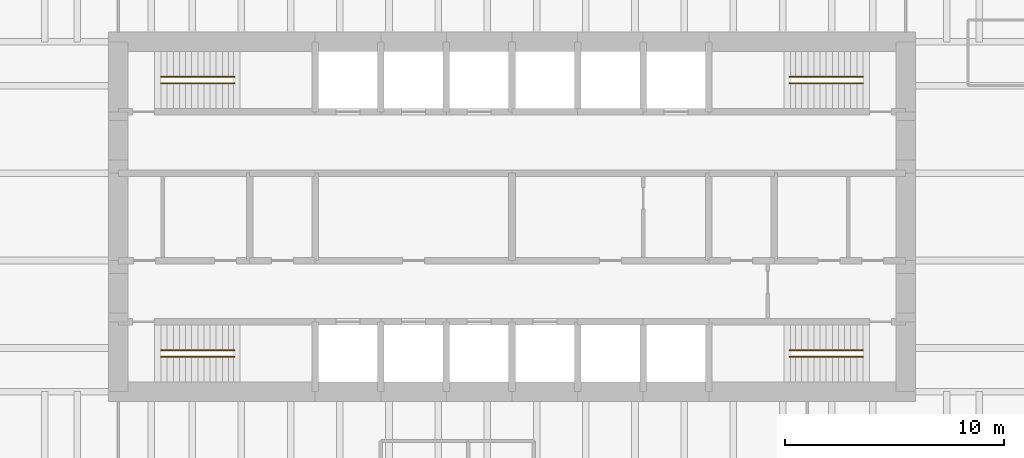
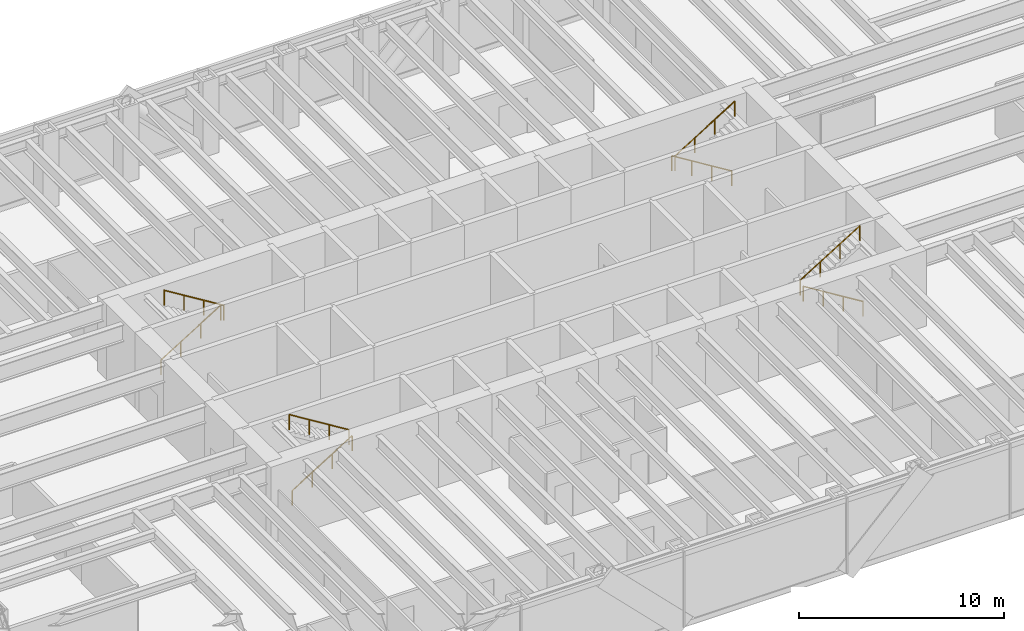
# One storey, part 13 of 13: 8 railings.
"""IFC4 building model written with IfcOpenShell, lengths in metres."""

from ifc_helpers import new_model, si_unit, direction, frame, origin, origin_2d, place, context, subcontext, project, spatial, circle, extrude, material, type_object, element, save


model = new_model("IFC4")

# Units and contexts
model_context = context("Model", 3, precision=1e-05, world=origin(), true_north=direction((0.0, 1.0)))
body_context = subcontext(model_context, "Body", "Model", "MODEL_VIEW")
ifc_project = project(units=[si_unit("LENGTHUNIT", "METRE"), si_unit("AREAUNIT", "SQUARE_METRE"), si_unit("VOLUMEUNIT", "CUBIC_METRE"), si_unit("PLANEANGLEUNIT", "RADIAN"), si_unit("MASSUNIT", "GRAM", prefix="KILO")], contexts=[model_context])

# Site, building, storey
site_placement = place(None, origin())
site = spatial("IfcSite", under=ifc_project, at=site_placement, CompositionType="ELEMENT")
building_placement = place(site_placement, origin())
building = spatial("IfcBuilding", under=site, at=building_placement, Name="Rheinbord Bourse Tower", CompositionType="ELEMENT")
storey_placement = place(building_placement, frame((0.0, 0.0, 68.0)))
storey = spatial("IfcBuildingStorey", under=building, at=storey_placement, Name="L14", CompositionType="ELEMENT", Elevation=68.0)

# Railings
ifc_material = material(Name="Steel handrail", Category="steel")
railing_type = type_object("IfcRailingType", Name="HANDRAIL 900", PredefinedType="HANDRAIL", material=ifc_material)
railing_1_placement = place(storey_placement, frame((19.949951171875, 17.60009765625, 0.173095703125)))
element("IfcRailing", 1, at=railing_1_placement, inside=storey, type_object=railing_type, Name="Handrail", PredefinedType="HANDRAIL", context=body_context, shape_type="SweptSolid", body=[
    extrude(circle(Radius=0.02392578125, at=origin_2d()), frame((0.0, 0.0, 0.8759765625), z_axis=(0.850623216509, 0.0, 0.525775754039), x_axis=(0.0, 1.0, 0.0)), (0.0, 0.0, 1.0), 3.9501953125),
    extrude(circle(Radius=0.02099609375, at=origin_2d()), origin(), (0.0, 0.0, 1.0), 0.851806640625),
    extrude(circle(Radius=0.02099609375, at=origin_2d()), frame((1.1201171875, 0.0, 0.6923828125)), (0.0, 0.0, 1.0), 0.851806640625),
    extrude(circle(Radius=0.02099609375, at=origin_2d()), frame((2.239990234375, 0.0, 1.384521484375)), (0.0, 0.0, 1.0), 0.851806640625),
    extrude(circle(Radius=0.02099609375, at=origin_2d()), frame((3.360107421875, 0.0, 2.076904296875)), (0.0, 0.0, 1.0), 0.851806640625),
])
railing_2_placement = place(storey_placement, frame((23.31005859375, 17.89990234375, 2.423095703125)))
element("IfcRailing", 2, at=railing_2_placement, inside=storey, type_object=railing_type, Name="Handrail", PredefinedType="HANDRAIL", context=body_context, shape_type="SweptSolid", body=[
    extrude(circle(Radius=0.02392578125, at=origin_2d()), frame((0.0, 0.0, 0.8759765625), z_axis=(-0.850623216509, 0.0, 0.525775754039), x_axis=(0.0, -1.0, 0.0)), (0.0, 0.0, 1.0), 3.9501953125),
    extrude(circle(Radius=0.02099609375, at=origin_2d()), origin(), (0.0, 0.0, 1.0), 0.851806640625),
    extrude(circle(Radius=0.02099609375, at=origin_2d()), frame((-1.1201171875, 0.0, 0.6923828125)), (0.0, 0.0, 1.0), 0.851806640625),
    extrude(circle(Radius=0.02099609375, at=origin_2d()), frame((-2.239990234375, 0.0, 1.384521484375)), (0.0, 0.0, 1.0), 0.851806640625),
    extrude(circle(Radius=0.02099609375, at=origin_2d()), frame((-3.360107421875, 0.0, 2.076904296875)), (0.0, 0.0, 1.0), 0.851806640625),
])
railing_3_placement = place(storey_placement, frame((19.949951171875, 30.39990234375, 0.173095703125)))
element("IfcRailing", 3, at=railing_3_placement, inside=storey, type_object=railing_type, Name="Handrail", PredefinedType="HANDRAIL", context=body_context, shape_type="SweptSolid", body=[
    extrude(circle(Radius=0.02392578125, at=origin_2d()), frame((0.0, 0.0, 0.8759765625), z_axis=(0.850623216509, 0.0, 0.525775754039), x_axis=(0.0, 1.0, 0.0)), (0.0, 0.0, 1.0), 3.9501953125),
    extrude(circle(Radius=0.02099609375, at=origin_2d()), origin(), (0.0, 0.0, 1.0), 0.851806640625),
    extrude(circle(Radius=0.02099609375, at=origin_2d()), frame((1.1201171875, 0.0, 0.6923828125)), (0.0, 0.0, 1.0), 0.851806640625),
    extrude(circle(Radius=0.02099609375, at=origin_2d()), frame((2.239990234375, 0.0, 1.384521484375)), (0.0, 0.0, 1.0), 0.851806640625),
    extrude(circle(Radius=0.02099609375, at=origin_2d()), frame((3.360107421875, 0.0, 2.076904296875)), (0.0, 0.0, 1.0), 0.851806640625),
])
for number, where, name in (
    (4, (23.31005859375, 30.10009765625, 2.423095703125), "Handrail"),
    (5, (52.050048828125, 17.60009765625, 0.173095703125), "Handrail"),
):
    element("IfcRailing", number, at=place(storey_placement, frame(where)), inside=storey, type_object=railing_type, Name=name, PredefinedType="HANDRAIL", context=body_context, shape_type="SweptSolid", body=[
        extrude(circle(Radius=0.02392578125, at=origin_2d()), frame((0.0, 0.0, 0.8759765625), z_axis=(-0.850623216509, 0.0, 0.525775754039), x_axis=(0.0, -1.0, 0.0)), (0.0, 0.0, 1.0), 3.9501953125),
        extrude(circle(Radius=0.02099609375, at=origin_2d()), origin(), (0.0, 0.0, 1.0), 0.851806640625),
        extrude(circle(Radius=0.02099609375, at=origin_2d()), frame((-1.1201171875, 0.0, 0.6923828125)), (0.0, 0.0, 1.0), 0.851806640625),
        extrude(circle(Radius=0.02099609375, at=origin_2d()), frame((-2.239990234375, 0.0, 1.384521484375)), (0.0, 0.0, 1.0), 0.851806640625),
        extrude(circle(Radius=0.02099609375, at=origin_2d()), frame((-3.360107421875, 0.0, 2.076904296875)), (0.0, 0.0, 1.0), 0.851806640625),
    ])
railing_4_placement = place(storey_placement, frame((48.68994140625, 17.89990234375, 2.423095703125)))
element("IfcRailing", 6, at=railing_4_placement, inside=storey, type_object=railing_type, Name="Handrail", PredefinedType="HANDRAIL", context=body_context, shape_type="SweptSolid", body=[
    extrude(circle(Radius=0.02392578125, at=origin_2d()), frame((0.0, 0.0, 0.8759765625), z_axis=(0.850623216509, 0.0, 0.525775754039), x_axis=(0.0, 1.0, 0.0)), (0.0, 0.0, 1.0), 3.9501953125),
    extrude(circle(Radius=0.02099609375, at=origin_2d()), origin(), (0.0, 0.0, 1.0), 0.851806640625),
    extrude(circle(Radius=0.02099609375, at=origin_2d()), frame((1.1201171875, 0.0, 0.6923828125)), (0.0, 0.0, 1.0), 0.851806640625),
    extrude(circle(Radius=0.02099609375, at=origin_2d()), frame((2.239990234375, 0.0, 1.384521484375)), (0.0, 0.0, 1.0), 0.851806640625),
    extrude(circle(Radius=0.02099609375, at=origin_2d()), frame((3.360107421875, 0.0, 2.076904296875)), (0.0, 0.0, 1.0), 0.851806640625),
])
railing_5_placement = place(storey_placement, frame((52.050048828125, 30.39990234375, 0.173095703125)))
element("IfcRailing", 7, at=railing_5_placement, inside=storey, type_object=railing_type, Name="Handrail", PredefinedType="HANDRAIL", context=body_context, shape_type="SweptSolid", body=[
    extrude(circle(Radius=0.02392578125, at=origin_2d()), frame((0.0, 0.0, 0.8759765625), z_axis=(-0.850623216509, 0.0, 0.525775754039), x_axis=(0.0, -1.0, 0.0)), (0.0, 0.0, 1.0), 3.9501953125),
    extrude(circle(Radius=0.02099609375, at=origin_2d()), origin(), (0.0, 0.0, 1.0), 0.851806640625),
    extrude(circle(Radius=0.02099609375, at=origin_2d()), frame((-1.1201171875, 0.0, 0.6923828125)), (0.0, 0.0, 1.0), 0.851806640625),
    extrude(circle(Radius=0.02099609375, at=origin_2d()), frame((-2.239990234375, 0.0, 1.384521484375)), (0.0, 0.0, 1.0), 0.851806640625),
    extrude(circle(Radius=0.02099609375, at=origin_2d()), frame((-3.360107421875, 0.0, 2.076904296875)), (0.0, 0.0, 1.0), 0.851806640625),
])
railing_6_placement = place(storey_placement, frame((48.68994140625, 30.10009765625, 2.423095703125)))
element("IfcRailing", 8, at=railing_6_placement, inside=storey, type_object=railing_type, Name="Handrail", PredefinedType="HANDRAIL", context=body_context, shape_type="SweptSolid", body=[
    extrude(circle(Radius=0.02392578125, at=origin_2d()), frame((0.0, 0.0, 0.8759765625), z_axis=(0.850623216509, 0.0, 0.525775754039), x_axis=(0.0, 1.0, 0.0)), (0.0, 0.0, 1.0), 3.9501953125),
    extrude(circle(Radius=0.02099609375, at=origin_2d()), origin(), (0.0, 0.0, 1.0), 0.851806640625),
    extrude(circle(Radius=0.02099609375, at=origin_2d()), frame((1.1201171875, 0.0, 0.6923828125)), (0.0, 0.0, 1.0), 0.851806640625),
    extrude(circle(Radius=0.02099609375, at=origin_2d()), frame((2.239990234375, 0.0, 1.384521484375)), (0.0, 0.0, 1.0), 0.851806640625),
    extrude(circle(Radius=0.02099609375, at=origin_2d()), frame((3.360107421875, 0.0, 2.076904296875)), (0.0, 0.0, 1.0), 0.851806640625),
])

save(model, "model.ifc")
